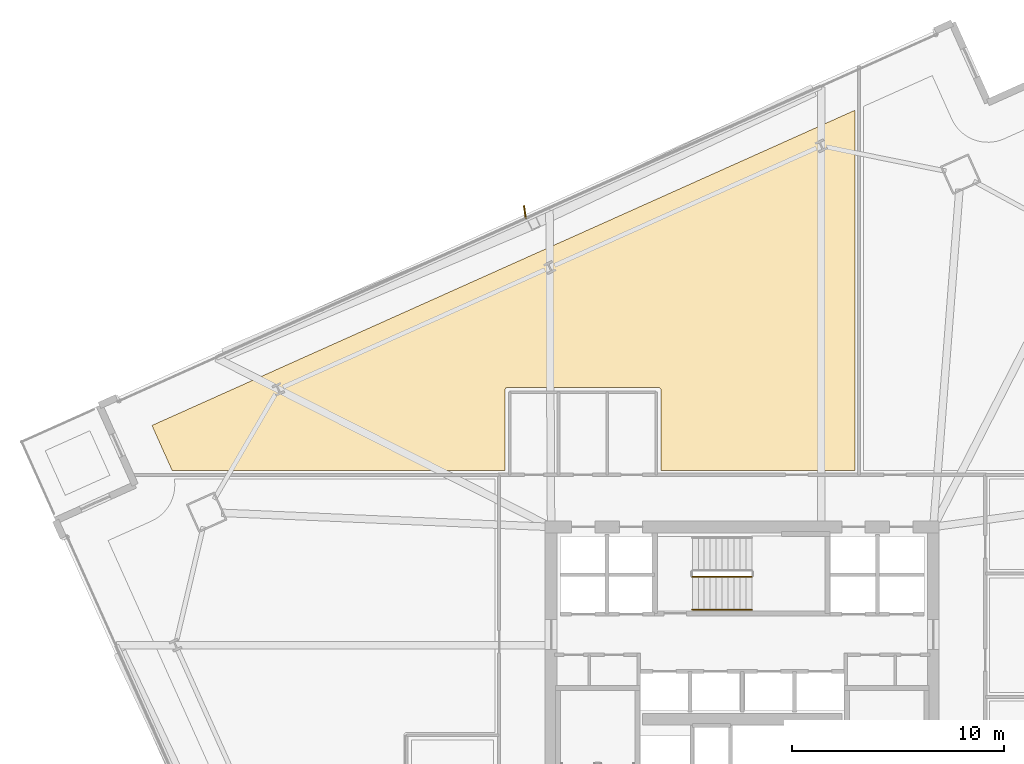
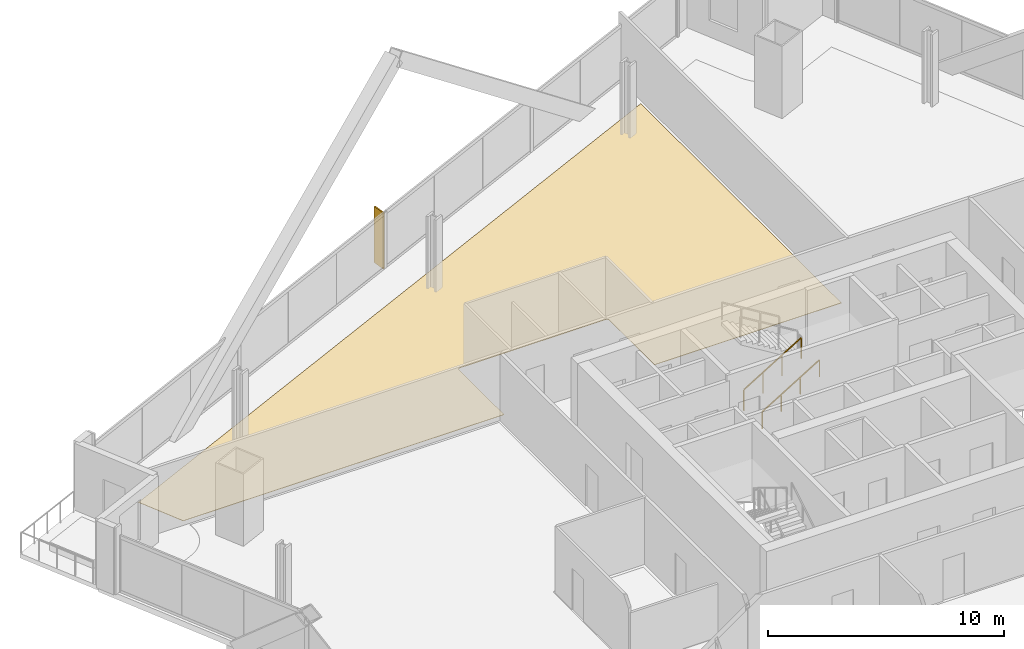
# One storey, part 36 of 38: 2 railings, 1 covering, 1 shading device.
"""IFC4 building model written with IfcOpenShell, lengths in metres."""

from ifc_helpers import new_model, si_unit, direction, frame, origin, origin_2d, place, context, subcontext, project, spatial, polyline, rectangle, outline, extrude, source, transform, mapped, material, layer, layer_set, type_object, element, save


model = new_model("IFC4")

# Units and contexts
model_context = context("Model", 3, precision=1e-05, world=origin(), true_north=direction((0.0, 1.0)))
body_context = subcontext(model_context, "Body", "Model", "MODEL_VIEW")
ifc_project = project(units=[si_unit("LENGTHUNIT", "METRE"), si_unit("AREAUNIT", "SQUARE_METRE"), si_unit("VOLUMEUNIT", "CUBIC_METRE"), si_unit("PLANEANGLEUNIT", "RADIAN"), si_unit("MASSUNIT", "GRAM", prefix="KILO")], contexts=[model_context])

# Site, building, storey
site_placement = place(None, origin())
site = spatial("IfcSite", under=ifc_project, at=site_placement, CompositionType="ELEMENT")
building_placement = place(site_placement, origin())
building = spatial("IfcBuilding", under=site, at=building_placement, Name="Haldenkirk Collegiate Tower", CompositionType="ELEMENT")
storey_placement = place(building_placement, frame((0.0, 0.0, 109.199951171875)))
storey = spatial("IfcBuildingStorey", under=building, at=storey_placement, Name="L26", CompositionType="ELEMENT", Elevation=109.199951171875)

# Covering
ifc_material_1 = material(Name="Engineered collegiate oak acoustic flooring", Category="wood")
ifc_layer_1 = layer(ifc_material_1, 0.02197265625)
ifc_layer_set_1 = layer_set([ifc_layer_1], Name="Engineered collegiate oak acoustic flooring")
covering_type = type_object("IfcCoveringType", Name="COV-FLOOR-TIMBER", PredefinedType="FLOORING", material=ifc_layer_set_1)
covering_placement = place(storey_placement, origin())
element("IfcCovering", 1, at=covering_placement, inside=storey, type_object=covering_type, Name="L26 academic room finish 07", PredefinedType="FLOORING", context=body_context, shape_type="SweptSolid", body=[
    extrude(outline(polyline([(9.124267578125, 36.73828125), (9.1220703125, 36.743896484375), (8.209716796875, 38.778564453125), (41.300048828125, 53.615478515625), (41.300048828125, 36.64990234375), (32.169921875, 36.64990234375), (32.169921875, 40.449951171875), (32.16943359375, 40.4619140625), (32.167724609375, 40.473388671875), (32.164794921875, 40.48486328125), (32.160888671875, 40.495849609375), (32.15576171875, 40.506591796875), (32.14990234375, 40.5166015625), (32.142822265625, 40.526123046875), (32.135009765625, 40.534912109375), (32.126220703125, 40.542724609375), (32.11669921875, 40.5498046875), (32.106689453125, 40.555908203125), (32.095947265625, 40.560791015625), (32.084716796875, 40.564697265625), (32.073486328125, 40.567626953125), (32.061767578125, 40.5693359375), (32.050048828125, 40.570068359375), (24.949951171875, 40.570068359375), (24.938232421875, 40.5693359375), (24.926513671875, 40.567626953125), (24.915283203125, 40.564697265625), (24.904052734375, 40.560791015625), (24.893310546875, 40.555908203125), (24.88330078125, 40.5498046875), (24.873779296875, 40.542724609375), (24.864990234375, 40.534912109375), (24.857177734375, 40.526123046875), (24.85009765625, 40.5166015625), (24.84423828125, 40.506591796875), (24.839111328125, 40.495849609375), (24.835205078125, 40.48486328125), (24.832275390625, 40.473388671875), (24.83056640625, 40.4619140625), (24.830078125, 40.449951171875), (24.830078125, 36.64990234375), (9.15869140625, 36.64990234375), (9.124267578125, 36.73828125)])), origin(), (0.0, 0.0, 1.0), 0.02197265625),
])

# Railings
ifc_material_2 = material(Name="Painted architectural tubular steel", Category="steel")
railing_type_1 = type_object("IfcRailingType", Name="RLG-STAIR-GUARD-1100", PredefinedType="BALUSTRADE", material=ifc_material_2)
railing_1_placement = place(storey_placement, frame((33.64990234375, 31.64990234375, 0.17041015625)))
element("IfcRailing", 2, at=railing_1_placement, inside=storey, type_object=railing_type_1, Name="L26 ST-3 stair guard 1", PredefinedType="BALUSTRADE", context=body_context, shape_type="SweptSolid", body=[
    extrude(rectangle(XDim=0.048095703125, YDim=0.048095703125, at=origin_2d()), frame((0.0, 0.0, 1.076171875), z_axis=(0.854169791009, 0.0, 0.51999420009), x_axis=(0.0, 1.0, 0.0)), (0.0, 0.0, 1.0), 3.278076171875),
    extrude(rectangle(XDim=0.0419921875, YDim=0.0419921875, at=origin_2d()), origin(), (0.0, 0.0, 1.0), 1.052001953125),
    extrude(rectangle(XDim=0.0419921875, YDim=0.0419921875, at=origin_2d()), frame((0.933349609375, 0.0, 0.568115234375)), (0.0, 0.0, 1.0), 1.052001953125),
    extrude(rectangle(XDim=0.0419921875, YDim=0.0419921875, at=origin_2d()), frame((1.86669921875, 0.0, 1.136474609375)), (0.0, 0.0, 1.0), 1.052001953125),
    extrude(rectangle(XDim=0.0419921875, YDim=0.0419921875, at=origin_2d()), frame((2.800048828125, 0.0, 1.70458984375)), (0.0, 0.0, 1.0), 1.052001953125),
])
railing_type_2 = type_object("IfcRailingType", Name="RLG-STAIR-HANDRAIL-900", PredefinedType="HANDRAIL", material=ifc_material_2)
railing_2_placement = place(storey_placement, frame((33.64990234375, 30.10009765625, 0.17041015625)))
element("IfcRailing", 3, at=railing_2_placement, inside=storey, type_object=railing_type_2, Name="L26 ST-3 stair handrail 1", PredefinedType="HANDRAIL", context=body_context, shape_type="SweptSolid", body=[
    extrude(rectangle(XDim=0.048095703125, YDim=0.048095703125, at=origin_2d()), frame((0.0, 0.0, 0.8759765625), z_axis=(0.854169791009, 0.0, 0.51999420009), x_axis=(0.0, 1.0, 0.0)), (0.0, 0.0, 1.0), 3.278076171875),
    extrude(rectangle(XDim=0.0419921875, YDim=0.0419921875, at=origin_2d()), origin(), (0.0, 0.0, 1.0), 0.851806640625),
    extrude(rectangle(XDim=0.0419921875, YDim=0.0419921875, at=origin_2d()), frame((0.933349609375, 0.0, 0.568115234375)), (0.0, 0.0, 1.0), 0.851806640625),
    extrude(rectangle(XDim=0.0419921875, YDim=0.0419921875, at=origin_2d()), frame((1.86669921875, 0.0, 1.136474609375)), (0.0, 0.0, 1.0), 0.851806640625),
    extrude(rectangle(XDim=0.0419921875, YDim=0.0419921875, at=origin_2d()), frame((2.800048828125, 0.0, 1.70458984375)), (0.0, 0.0, 1.0), 0.851806640625),
])

# Shading device
ifc_material_3 = material(Name="Anodised architectural bronze aluminium", Category="aluminium")
ifc_layer_2 = layer(ifc_material_3, 0.06494140625)
ifc_layer_set_2 = layer_set([ifc_layer_2], Name="Anodised architectural bronze aluminium")
shading_device_type = type_object("IfcShadingDeviceType", Name="SHD-FIN-BRONZE-620", PredefinedType="USERDEFINED", material=ifc_layer_set_2)
shared_shape = source(origin(), body_context, "Body", "SweptSolid", [
    extrude(rectangle(XDim=0.6201171875, YDim=0.06494140625, at=origin_2d()), origin(), (0.0, 0.0, 1.0), 2.90087890625),
])
shading_device_placement = place(storey_placement, frame((25.765625, 48.82568359375, 0.0), z_axis=(0.0, 0.0, 1.0), x_axis=(-0.141765136802, 0.989900321238, 0.0)))
element("IfcShadingDevice", 4, at=shading_device_placement, inside=storey, type_object=shading_device_type, Name="L26 folded bronze solar fin 1", ObjectType="FIN", PredefinedType="USERDEFINED", context=body_context, shape_type="MappedRepresentation", body=[
    mapped(shared_shape, transform((0.0, 0.0, 0.0), x_axis=(1.0, 0.0, 0.0), y_axis=(0.0, 1.0, 0.0), z_axis=(0.0, 0.0, 1.0), scale=1.0)),
])

save(model, "model.ifc")
